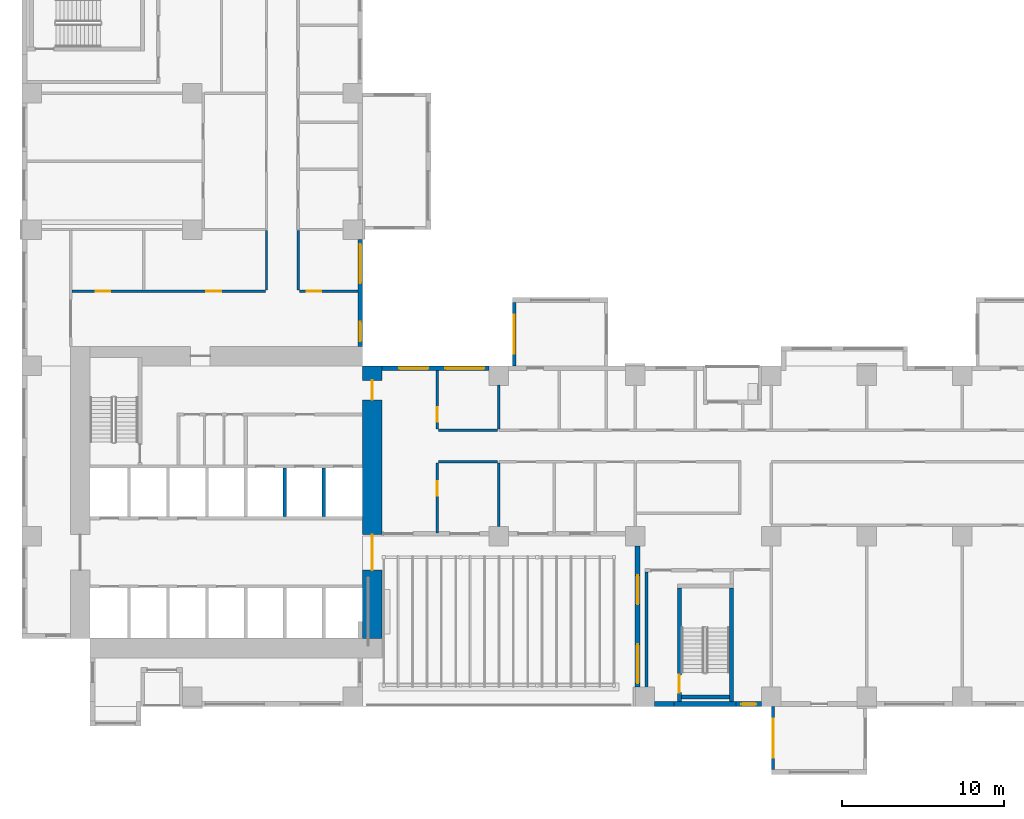
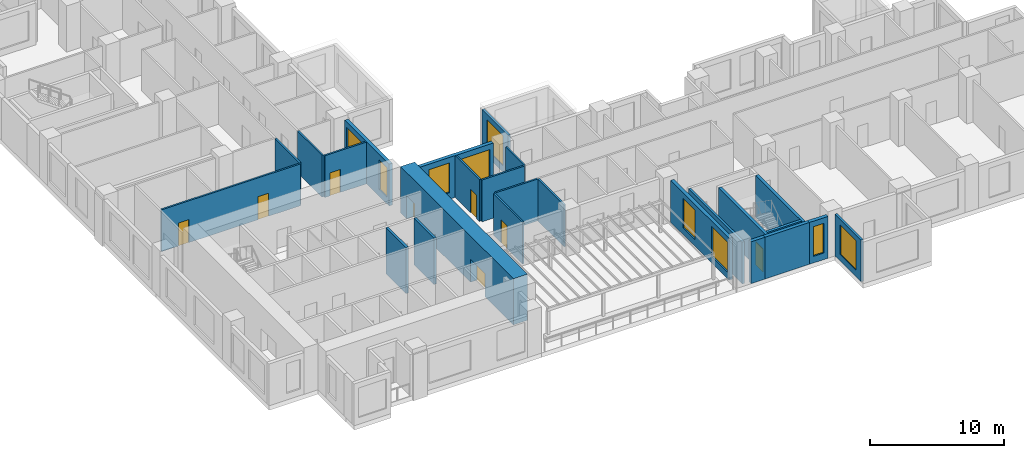
# One storey, part 5 of 16: 25 walls, 9 windows, 8 doors, 17 openings.
"""IFC4 building model written with IfcOpenShell, lengths in metres."""

import ifcopenshell
import ifcopenshell.guid

model = None  # the IFC model being written
_history = None  # IfcOwnerHistory: only IFC2X3 demands one
_inside = {}  # id of a spatial element -> (the spatial element, [elements in it])
_under = {}  # id of a project, library or spatial element -> (it, [spatial elements below it])
_declared = {}  # id of a project -> (the project, [libraries it declares])
_typed = {}  # id of a type object -> (the type object, [elements of that type])
_made_of = {}  # id of a material, layer set ... -> (it, [elements and type objects made of it])


def new_model(schema):
    """Start an empty IFC model of exactly this schema.

    Asked for "IFC4X3", IfcOpenShell would pick the latest addendum, in which some entities
    have other attributes; the version numbers below select the first issue.
    IFC2X3 requires an IfcOwnerHistory on every rooted entity: one is made here for all.
    """
    global model, _history
    if schema == "IFC4X3":
        model = ifcopenshell.file(schema_version=(4, 3, 0, 0))
    else:
        model = ifcopenshell.file(schema=schema)
    _inside.clear()
    _under.clear()
    _declared.clear()
    _typed.clear()
    _made_of.clear()
    _history = None
    if model.schema == "IFC2X3":
        org = make("IfcOrganization", Name="unknown")
        user = make(
            "IfcPersonAndOrganization",
            ThePerson=make("IfcPerson", FamilyName="unknown"),
            TheOrganization=org,
        )
        app = make(
            "IfcApplication",
            ApplicationDeveloper=org,
            Version="unknown",
            ApplicationFullName="unknown",
            ApplicationIdentifier="unknown",
        )
        _history = make(
            "IfcOwnerHistory",
            OwningUser=user,
            OwningApplication=app,
            ChangeAction="ADDED",
            CreationDate=0,
        )
    return model


def make(cls, **values):
    """One entity of the class cls with the attributes given. An attribute that is None is left unset."""
    return model.create_entity(
        cls, **{name: value for name, value in values.items() if value is not None}
    )


def rooted(cls, **values):
    """An entity with a GlobalId (a new one), such as an element, a storey or a relation."""
    return make(cls, GlobalId=ifcopenshell.guid.new(), OwnerHistory=_history, **values)


def si_unit(unit_type, name, prefix=None):
    """IfcSIUnit, for example si_unit("LENGTHUNIT", "METRE", prefix="MILLI")."""
    return make("IfcSIUnit", UnitType=unit_type, Prefix=prefix, Name=name)


def assignment(units):
    """IfcUnitAssignment: the units of a project."""
    return None if units is None else make("IfcUnitAssignment", Units=units)


def point(xyz):
    """IfcCartesianPoint."""
    return None if xyz is None else make("IfcCartesianPoint", Coordinates=xyz)


def direction(xyz):
    """IfcDirection."""
    return None if xyz is None else make("IfcDirection", DirectionRatios=xyz)


def frame(location, z_axis=None, x_axis=None):
    """IfcAxis2Placement3D, a coordinate frame: its origin and axes. An axis left out is left unset."""
    return make(
        "IfcAxis2Placement3D",
        Location=point(location),
        Axis=direction(z_axis),
        RefDirection=direction(x_axis),
    )


def frame_2d(location, x_axis=None):
    """IfcAxis2Placement2D, a coordinate frame in the plane: its origin and x axis."""
    return make(
        "IfcAxis2Placement2D", Location=point(location), RefDirection=direction(x_axis)
    )


def origin():
    """The frame at (0, 0, 0) with its axes left unset."""
    return frame((0.0, 0.0, 0.0))


def place(relative_to, where):
    """IfcLocalPlacement: puts the frame where relative to a parent placement (None: the world)."""
    return make(
        "IfcLocalPlacement", PlacementRelTo=relative_to, RelativePlacement=where
    )


def context(
    kind, dimensions, precision=None, world=None, true_north=None, identifier=None
):
    """IfcGeometricRepresentationContext, for example the 3D "Model" context."""
    return make(
        "IfcGeometricRepresentationContext",
        ContextIdentifier=identifier,
        ContextType=kind,
        CoordinateSpaceDimension=dimensions,
        Precision=precision,
        WorldCoordinateSystem=world,
        TrueNorth=true_north,
    )


def subcontext(parent, identifier, kind, view, scale=None):
    """IfcGeometricRepresentationSubContext, for example "Body" below "Model"."""
    return make(
        "IfcGeometricRepresentationSubContext",
        ContextIdentifier=identifier,
        ContextType=kind,
        ParentContext=parent,
        TargetScale=scale,
        TargetView=view,
    )


def project(units=None, contexts=None):
    """IfcProject with its units and contexts."""
    return rooted(
        "IfcProject",
        Name="project",
        RepresentationContexts=contexts,
        UnitsInContext=assignment(units),
    )


def spatial(cls, under=None, at=None, **own):
    """A site, building, storey or space (cls), placed at a placement, below another one or the project."""
    s = rooted(cls, ObjectPlacement=at, **own)
    if under is not None:
        _under.setdefault(under.id(), (under, []))[1].append(s)
    return s


def profile(cls, at=None, kind="AREA", **sizes):
    """A parametric profile (cls). Its sizes go by their IFC names, for example OverallWidth=200.0."""
    return make(cls, ProfileType=kind, Position=at, **sizes)


def rectangle(**sizes):
    """IfcRectangleProfileDef."""
    return profile("IfcRectangleProfileDef", **sizes)


def extrude(swept, where, along, depth):
    """IfcExtrudedAreaSolid: the profile swept, set in the frame where, extruded along a direction by depth."""
    return make(
        "IfcExtrudedAreaSolid",
        SweptArea=swept,
        Position=where,
        ExtrudedDirection=direction(along),
        Depth=depth,
    )


def shape(context_of_items, identifier, shape_type, items):
    """IfcShapeRepresentation: the items that make up one representation, for example the "Body"."""
    return make(
        "IfcShapeRepresentation",
        ContextOfItems=context_of_items,
        RepresentationIdentifier=identifier,
        RepresentationType=shape_type,
        Items=items,
    )


def source(mapping_origin, context_of_items, identifier, shape_type, items):
    """IfcRepresentationMap: a shape defined once, which mapped items show again and again."""
    return make(
        "IfcRepresentationMap",
        MappingOrigin=mapping_origin,
        MappedRepresentation=shape(context_of_items, identifier, shape_type, items),
    )


def transform(
    local_origin,
    x_axis=None,
    y_axis=None,
    z_axis=None,
    scale=None,
    scale2=None,
    scale3=None,
    uniform=True,
):
    """IfcCartesianTransformationOperator3D, or its non-uniform kind. x_axis, y_axis, z_axis: its Axis1, 2, 3."""
    if uniform:
        return make(
            "IfcCartesianTransformationOperator3D",
            Axis1=direction(x_axis),
            Axis2=direction(y_axis),
            LocalOrigin=point(local_origin),
            Scale=scale,
            Axis3=direction(z_axis),
        )
    return make(
        "IfcCartesianTransformationOperator3DnonUniform",
        Axis1=direction(x_axis),
        Axis2=direction(y_axis),
        LocalOrigin=point(local_origin),
        Scale=scale,
        Axis3=direction(z_axis),
        Scale2=scale2,
        Scale3=scale3,
    )


def mapped(mapping_source, mapping_target):
    """IfcMappedItem: shows the shape of a source again, moved by a transform."""
    return make(
        "IfcMappedItem", MappingSource=mapping_source, MappingTarget=mapping_target
    )


def material(Name=None, Category=None):
    """IfcMaterial."""
    return make("IfcMaterial", Name=Name, Category=Category)


def layer(
    of_material, thickness, ventilated=None, Name=None, Category=None, Priority=None
):
    """IfcMaterialLayer: one layer of a wall or slab, of a material (None: an air gap)."""
    return make(
        "IfcMaterialLayer",
        Material=of_material,
        LayerThickness=thickness,
        IsVentilated=ventilated,
        Name=Name,
        Category=Category,
        Priority=Priority,
    )


def layer_set(layers, Name=None):
    """IfcMaterialLayerSet."""
    return make("IfcMaterialLayerSet", MaterialLayers=layers, LayerSetName=Name)


def made_of(thing, what):
    """Note that an element or type object is made of a material, layer set ...; save() writes the relation."""
    if what is not None:
        _made_of.setdefault(what.id(), (what, []))[1].append(thing)
    return thing


def type_object(cls, material=None, **own):
    """A type object (cls), such as IfcWallType, which elements share."""
    return made_of(rooted(cls, **own), material)


def element(
    cls,
    number,
    at=None,
    inside=None,
    cuts=None,
    type_object=None,
    material=None,
    context=None,
    identifier="Body",
    shape_type=None,
    held_by="IfcProductDefinitionShape",
    body=None,
    shapes=None,
    **own,
):
    """One element of the class cls, such as IfcWall. Its Tag is "e" and its number.

    at: its placement. inside: the storey or other place that contains it. cuts: it is an
    opening in that element (IfcRelVoidsElement). A single representation is given by context,
    identifier, shape_type and body (its items); several are given by shapes. held_by: the class
    of the entity that holds the representations. save() writes the other relations.
    """
    e = rooted(cls, Tag="e%d" % number, ObjectPlacement=at, **own)
    if body is not None:
        shapes = [shape(context, identifier, shape_type, body)]
    if shapes is not None:
        e.Representation = make(held_by, Representations=shapes)
    if inside is not None:
        _inside.setdefault(inside.id(), (inside, []))[1].append(e)
    if cuts is not None:
        rooted(
            "IfcRelVoidsElement", RelatingBuildingElement=cuts, RelatedOpeningElement=e
        )
    if type_object is not None:
        _typed.setdefault(type_object.id(), (type_object, []))[1].append(e)
    return made_of(e, material)


def fill(opening, filler):
    """IfcRelFillsElement: the door or window that sits in an opening."""
    return rooted(
        "IfcRelFillsElement",
        RelatingOpeningElement=opening,
        RelatedBuildingElement=filler,
    )


def aggregate(whole, parts):
    """IfcRelAggregates: a whole, such as a stair, and the parts it consists of."""
    return rooted("IfcRelAggregates", RelatingObject=whole, RelatedObjects=parts)


def save(model, path):
    """Write the relations noted so far, then the file.

    IfcRelAggregates (storeys below a building ...), IfcRelContainedInSpatialStructure (elements
    in a storey), IfcRelDefinesByType, IfcRelAssociatesMaterial and IfcRelDeclares: one each for
    every whole, place, type object, material and project.
    """
    for whole, parts in _under.values():
        aggregate(whole, parts)
    for where, things in _inside.values():
        rooted(
            "IfcRelContainedInSpatialStructure",
            RelatedElements=things,
            RelatingStructure=where,
        )
    for kind, things in _typed.values():
        rooted("IfcRelDefinesByType", RelatedObjects=things, RelatingType=kind)
    for what, things in _made_of.values():
        rooted("IfcRelAssociatesMaterial", RelatedObjects=things, RelatingMaterial=what)
    for by, libraries in _declared.values():
        rooted("IfcRelDeclares", RelatingContext=by, RelatedDefinitions=libraries)
    model.write(path)


model = new_model("IFC4")

# Units and contexts
model_context = context("Model", 3, precision=1e-05, world=origin(), true_north=direction((0.0, 1.0)))
body_context = subcontext(model_context, "Body", "Model", "MODEL_VIEW")
ifc_project = project(units=[si_unit("LENGTHUNIT", "METRE"), si_unit("AREAUNIT", "SQUARE_METRE"), si_unit("VOLUMEUNIT", "CUBIC_METRE"), si_unit("PLANEANGLEUNIT", "RADIAN"), si_unit("MASSUNIT", "GRAM", prefix="KILO")], contexts=[model_context])

# Site, building, storey
site_placement = place(None, origin())
site = spatial("IfcSite", under=ifc_project, at=site_placement, CompositionType="ELEMENT")
building_placement = place(site_placement, origin())
building = spatial("IfcBuilding", under=site, at=building_placement, Name="Aurelian Terraces", CompositionType="ELEMENT")
storey_placement = place(building_placement, frame((0.0, 0.0, 95.1)))
storey = spatial("IfcBuildingStorey", under=building, at=storey_placement, Name="L20", CompositionType="ELEMENT", Elevation=95.1)

# Wall, openings, doors
ifc_material_1 = material(Name="Concrete fc' 83 MPa", Category="concrete")
ifc_layer_1 = layer(ifc_material_1, 1.2)
ifc_layer_set_1 = layer_set([ifc_layer_1], Name="CORE WALL 1200 FC83")
wall_type_1 = type_object("IfcWallType", Name="CORE WALL 1200 FC83", PredefinedType="SHEAR", material=ifc_layer_set_1)
shared_shape_1 = source(origin(), body_context, "Body", "SweptSolid", [
    extrude(rectangle(XDim=16.8, YDim=1.2, at=frame_2d((8.4, 0.0))), origin(), (0.0, 0.0, 1.0), 4.2),
])
wall_1_placement = place(storey_placement, frame((21.6, 4.2, 0.0), z_axis=(0.0, 0.0, 1.0), x_axis=(0.0, 1.0, 0.0)))
wall_1 = element("IfcWall", 1, at=wall_1_placement, inside=storey, type_object=wall_type_1, Name="Core wall E L20", PredefinedType="SHEAR", context=body_context, shape_type="MappedRepresentation", body=[
    mapped(shared_shape_1, transform((0.0, 0.0, 0.0), scale=1.0)),
])
shared_shape_2 = source(origin(), body_context, "Body", "SweptSolid", [
    extrude(rectangle(XDim=2.2, YDim=2.1, at=frame_2d((1.1, 1.05))), frame((0.0, 0.61, 0.0), z_axis=(0.0, -1.0, 0.0), x_axis=(1.0, 0.0, 0.0)), (0.0, 0.0, 1.0), 1.22),
])
opening_1_placement = place(wall_1_placement, frame((4.2, 0.0, 0.0)))
opening_1 = element("IfcOpeningElement", 2, at=opening_1_placement, cuts=wall_1, Name="Opening 62321", PredefinedType="OPENING", context=body_context, shape_type="MappedRepresentation", body=[
    mapped(shared_shape_2, transform((0.0, 0.0, 0.0), scale=1.0)),
])
shared_shape_3 = source(origin(), body_context, "Body", "SweptSolid", [
    extrude(rectangle(XDim=1.2, YDim=2.1, at=frame_2d((0.6, 1.05))), frame((0.0, 0.61, 0.0), z_axis=(0.0, -1.0, 0.0), x_axis=(1.0, 0.0, 0.0)), (0.0, 0.0, 1.0), 1.22),
])
opening_2_placement = place(wall_1_placement, frame((14.7, 0.0, 0.0)))
opening_2 = element("IfcOpeningElement", 3, at=opening_2_placement, cuts=wall_1, Name="Opening 62324", PredefinedType="OPENING", context=body_context, shape_type="MappedRepresentation", body=[
    mapped(shared_shape_3, transform((0.0, 0.0, 0.0), scale=1.0)),
])
ifc_material_2 = material(Name="Steel door leaf", Category="steel")
door_type_1 = type_object("IfcDoorType", Name="Core fire door 1200x2100", OperationType="SINGLE_SWING_LEFT", PredefinedType="DOOR", material=ifc_material_2)
shared_shape_4 = source(origin(), body_context, "Body", "SweptSolid", [
    extrude(rectangle(XDim=1.2, YDim=2.1, at=frame_2d((0.6, 1.05))), frame((0.0, 0.025, 0.0), z_axis=(0.0, -1.0, 0.0), x_axis=(1.0, 0.0, 0.0)), (0.0, 0.0, 1.0), 0.05),
])
door_1_placement = place(opening_2_placement, origin())
door_1 = element("IfcDoor", 4, at=door_1_placement, inside=storey, type_object=door_type_1, Name="Core door 62324", OperationType="SINGLE_SWING_LEFT", OverallHeight=2.1, OverallWidth=1.2, PredefinedType="DOOR", context=body_context, shape_type="MappedRepresentation", body=[
    mapped(shared_shape_4, transform((0.0, 0.0, 0.0), scale=1.0)),
])
fill(opening_2, door_1)
door_type_2 = type_object("IfcDoorType", Name="Core double door 2200x2100", OperationType="DOUBLE_DOOR_SINGLE_SWING", PredefinedType="DOOR", material=ifc_material_2)
shared_shape_5 = source(origin(), body_context, "Body", "SweptSolid", [
    extrude(rectangle(XDim=2.2, YDim=2.1, at=frame_2d((1.1, 1.05))), frame((0.0, 0.025, 0.0), z_axis=(0.0, -1.0, 0.0), x_axis=(1.0, 0.0, 0.0)), (0.0, 0.0, 1.0), 0.05),
])
door_2_placement = place(opening_1_placement, origin())
door_2 = element("IfcDoor", 5, at=door_2_placement, inside=storey, type_object=door_type_2, Name="Core door 62321", OperationType="DOUBLE_DOOR_SINGLE_SWING", OverallHeight=2.1, OverallWidth=2.2, PredefinedType="DOOR", context=body_context, shape_type="MappedRepresentation", body=[
    mapped(shared_shape_5, transform((0.0, 0.0, 0.0), scale=1.0)),
])
fill(opening_1, door_2)

# Wall
ifc_material_3 = material(Name="Terracotta rainscreen cladding", Category="masonry")
ifc_layer_2 = layer(ifc_material_3, 0.3)
ifc_layer_set_2 = layer_set([ifc_layer_2], Name="EW-300")
wall_type_2 = type_object("IfcWallType", Name="EW-300", PredefinedType="STANDARD", material=ifc_layer_set_2)
shared_shape_6 = source(origin(), body_context, "Body", "SweptSolid", [
    extrude(rectangle(XDim=1.2, YDim=0.3, at=frame_2d((0.6, 0.0))), origin(), (0.0, 0.0, 1.0), 3.8),
])
wall_2_placement = place(storey_placement, frame((39.0, 0.15, 0.0), z_axis=(0.0, 0.0, 1.0), x_axis=(1.0, 0.0, 0.0)))
element("IfcWall", 6, at=wall_2_placement, inside=storey, type_object=wall_type_2, Name="External wall L20 F05.9", PredefinedType="STANDARD", context=body_context, shape_type="MappedRepresentation", body=[
    mapped(shared_shape_6, transform((0.0, 0.0, 0.0), scale=1.0)),
])

# Wall, opening, window
shared_shape_7 = source(origin(), body_context, "Body", "SweptSolid", [
    extrude(rectangle(XDim=1.6, YDim=0.3, at=frame_2d((0.8, 0.0))), origin(), (0.0, 0.0, 1.0), 3.8),
])
wall_3_placement = place(storey_placement, frame((44.0, 0.15, 0.0), z_axis=(0.0, 0.0, 1.0), x_axis=(1.0, 0.0, 0.0)))
wall_3 = element("IfcWall", 7, at=wall_3_placement, inside=storey, type_object=wall_type_2, Name="External wall L20 F05.9", PredefinedType="STANDARD", context=body_context, shape_type="MappedRepresentation", body=[
    mapped(shared_shape_7, transform((0.0, 0.0, 0.0), scale=1.0)),
])
shared_shape_8 = source(origin(), body_context, "Body", "SweptSolid", [
    extrude(rectangle(XDim=0.9, YDim=2.7, at=frame_2d((0.45, 1.35))), frame((0.0, 0.16, 0.0), z_axis=(0.0, -1.0, 0.0), x_axis=(1.0, 0.0, 0.0)), (0.0, 0.0, 1.0), 0.32),
])
opening_3_placement = place(wall_3_placement, frame((0.35, 0.0, 0.6)))
opening_3 = element("IfcOpeningElement", 8, at=opening_3_placement, cuts=wall_3, Name="Opening W0927", PredefinedType="OPENING", context=body_context, shape_type="MappedRepresentation", body=[
    mapped(shared_shape_8, transform((0.0, 0.0, 0.0), scale=1.0)),
])
ifc_material_4 = material(Name="Clear glazing", Category="glass")
window_type_1 = type_object("IfcWindowType", Name="W-900x2700", PartitioningType="SINGLE_PANEL", PredefinedType="WINDOW", material=ifc_material_4)
shared_shape_9 = source(origin(), body_context, "Body", "SweptSolid", [
    extrude(rectangle(XDim=0.9, YDim=2.7, at=frame_2d((0.45, 1.35))), frame((0.0, 0.03, 0.0), z_axis=(0.0, -1.0, 0.0), x_axis=(1.0, 0.0, 0.0)), (0.0, 0.0, 1.0), 0.06),
])
window_1_placement = place(opening_3_placement, origin())
window_1 = element("IfcWindow", 9, at=window_1_placement, inside=storey, type_object=window_type_1, Name="Window L20 L20-F05-09-P2", OverallHeight=2.7, OverallWidth=0.9, PartitioningType="SINGLE_PANEL", PredefinedType="WINDOW", context=body_context, shape_type="MappedRepresentation", body=[
    mapped(shared_shape_9, transform((0.0, 0.0, 0.0), scale=1.0)),
])
fill(opening_3, window_1)

# Wall
ifc_material_5 = material(Name="Concrete fc' 40 MPa", Category="concrete")
ifc_layer_3 = layer(ifc_material_5, 0.3)
ifc_layer_set_3 = layer_set([ifc_layer_3], Name="STAIR BAY WALL 300")
wall_type_3 = type_object("IfcWallType", Name="STAIR BAY WALL 300", PredefinedType="SOLIDWALL", material=ifc_layer_set_3)
shared_shape_10 = source(origin(), body_context, "Body", "SweptSolid", [
    extrude(rectangle(XDim=3.8, YDim=0.3, at=frame_2d((1.9, 0.0))), origin(), (0.0, 0.0, 1.0), 3.8),
])
wall_4_placement = place(storey_placement, frame((40.2, 0.15, 0.0), z_axis=(0.0, 0.0, 1.0), x_axis=(1.0, 0.0, 0.0)))
element("IfcWall", 10, at=wall_4_placement, inside=storey, type_object=wall_type_3, Name="Stair bay wall L20 F05.9", PredefinedType="SOLIDWALL", context=body_context, shape_type="MappedRepresentation", body=[
    mapped(shared_shape_10, transform((0.0, 0.0, 0.0), scale=1.0)),
])

# Wall, opening, window
ifc_layer_4 = layer(ifc_material_5, 0.2)
ifc_layer_set_4 = layer_set([ifc_layer_4], Name="BOX BEARING WALL 200")
wall_type_4 = type_object("IfcWallType", Name="BOX BEARING WALL 200", PredefinedType="SOLIDWALL", material=ifc_layer_set_4)
shared_shape_11 = source(origin(), body_context, "Body", "SweptSolid", [
    extrude(rectangle(XDim=3.9, YDim=0.2, at=frame_2d((1.95, 0.0))), origin(), (0.0, 0.0, 1.0), 3.79),
])
wall_5_placement = place(storey_placement, frame((46.3, 0.0, 0.0), z_axis=(0.0, 0.0, 1.0), x_axis=(0.0, -1.0, 0.0)))
wall_5 = element("IfcWall", 11, at=wall_5_placement, inside=storey, type_object=wall_type_4, Name="Box return L20 J28.1", PredefinedType="SOLIDWALL", context=body_context, shape_type="MappedRepresentation", body=[
    mapped(shared_shape_11, transform((0.0, 0.0, 0.0), scale=1.0)),
])
shared_shape_12 = source(origin(), body_context, "Body", "SweptSolid", [
    extrude(rectangle(XDim=2.4, YDim=2.7, at=frame_2d((1.2, 1.35))), frame((0.0, 0.11, 0.0), z_axis=(0.0, -1.0, 0.0), x_axis=(1.0, 0.0, 0.0)), (0.0, 0.0, 1.0), 0.22),
])
opening_4_placement = place(wall_5_placement, frame((0.75, 0.0, 0.6)))
opening_4 = element("IfcOpeningElement", 12, at=opening_4_placement, cuts=wall_5, Name="Opening W2427", PredefinedType="OPENING", context=body_context, shape_type="MappedRepresentation", body=[
    mapped(shared_shape_12, transform((0.0, 0.0, 0.0), scale=1.0)),
])
window_type_2 = type_object("IfcWindowType", Name="W-2400x2700", PartitioningType="SINGLE_PANEL", PredefinedType="WINDOW", material=ifc_material_4)
shared_shape_13 = source(origin(), body_context, "Body", "SweptSolid", [
    extrude(rectangle(XDim=2.4, YDim=2.7, at=frame_2d((1.2, 1.35))), frame((0.0, 0.03, 0.0), z_axis=(0.0, -1.0, 0.0), x_axis=(1.0, 0.0, 0.0)), (0.0, 0.0, 1.0), 0.06),
])
window_2_placement = place(opening_4_placement, origin())
window_2 = element("IfcWindow", 13, at=window_2_placement, inside=storey, type_object=window_type_2, Name="Window L20 J28-S1", OverallHeight=2.7, OverallWidth=2.4, PartitioningType="SINGLE_PANEL", PredefinedType="WINDOW", context=body_context, shape_type="MappedRepresentation", body=[
    mapped(shared_shape_13, transform((0.0, 0.0, 0.0), scale=1.0)),
])
fill(opening_4, window_2)

shared_shape_14 = source(origin(), body_context, "Body", "SweptSolid", [
    extrude(rectangle(XDim=3.9, YDim=0.2, at=frame_2d((1.95, 0.0))), origin(), (0.0, 0.0, 1.0), 3.8),
])
wall_6_placement = place(storey_placement, frame((30.34, 21.0, 0.0), z_axis=(0.0, 0.0, 1.0), x_axis=(0.0, 1.0, 0.0)))
wall_6 = element("IfcWall", 14, at=wall_6_placement, inside=storey, type_object=wall_type_4, Name="Box return L20 J25.2", PredefinedType="SOLIDWALL", context=body_context, shape_type="MappedRepresentation", body=[
    mapped(shared_shape_14, transform((0.0, 0.0, 0.0), scale=1.0)),
])
opening_5_placement = place(wall_6_placement, frame((0.75, 0.0, 0.6)))
opening_5 = element("IfcOpeningElement", 15, at=opening_5_placement, cuts=wall_6, Name="Opening W2427", PredefinedType="OPENING", context=body_context, shape_type="MappedRepresentation", body=[
    mapped(shared_shape_12, transform((0.0, 0.0, 0.0), scale=1.0)),
])
window_3_placement = place(opening_5_placement, origin())
window_3 = element("IfcWindow", 16, at=window_3_placement, inside=storey, type_object=window_type_2, Name="Window L20 J25-S2", OverallHeight=2.7, OverallWidth=2.4, PartitioningType="SINGLE_PANEL", PredefinedType="WINDOW", context=body_context, shape_type="MappedRepresentation", body=[
    mapped(shared_shape_13, transform((0.0, 0.0, 0.0), scale=1.0)),
])
fill(opening_5, window_3)

# Wall, openings, windows
shared_shape_15 = source(origin(), body_context, "Body", "SweptSolid", [
    extrude(rectangle(XDim=6.6, YDim=0.3, at=frame_2d((3.3, 0.0))), origin(), (0.0, 0.0, 1.0), 3.8),
])
wall_7_placement = place(storey_placement, frame((28.8, 20.85, 0.0), z_axis=(0.0, 0.0, 1.0), x_axis=(-1.0, 0.0, 0.0)))
wall_7 = element("IfcWall", 17, at=wall_7_placement, inside=storey, type_object=wall_type_2, Name="External wall L20 F11.24", PredefinedType="STANDARD", context=body_context, shape_type="MappedRepresentation", body=[
    mapped(shared_shape_15, transform((0.0, 0.0, 0.0), scale=1.0)),
])
shared_shape_16 = source(origin(), body_context, "Body", "SweptSolid", [
    extrude(rectangle(XDim=2.4, YDim=2.7, at=frame_2d((1.2, 1.35))), frame((0.0, 0.16, 0.0), z_axis=(0.0, -1.0, 0.0), x_axis=(1.0, 0.0, 0.0)), (0.0, 0.0, 1.0), 0.32),
])
opening_6_placement = place(wall_7_placement, frame((0.3, 0.0, 0.6)))
opening_6 = element("IfcOpeningElement", 18, at=opening_6_placement, cuts=wall_7, Name="Opening W2427", PredefinedType="OPENING", context=body_context, shape_type="MappedRepresentation", body=[
    mapped(shared_shape_16, transform((0.0, 0.0, 0.0), scale=1.0)),
])
shared_shape_17 = source(origin(), body_context, "Body", "SweptSolid", [
    extrude(rectangle(XDim=1.8, YDim=2.7, at=frame_2d((0.9, 1.35))), frame((0.0, 0.16, 0.0), z_axis=(0.0, -1.0, 0.0), x_axis=(1.0, 0.0, 0.0)), (0.0, 0.0, 1.0), 0.32),
])
opening_7_placement = place(wall_7_placement, frame((3.75, 0.0, 0.6)))
opening_7 = element("IfcOpeningElement", 19, at=opening_7_placement, cuts=wall_7, Name="Opening W1827", PredefinedType="OPENING", context=body_context, shape_type="MappedRepresentation", body=[
    mapped(shared_shape_17, transform((0.0, 0.0, 0.0), scale=1.0)),
])
window_4_placement = place(opening_6_placement, origin())
window_4 = element("IfcWindow", 20, at=window_4_placement, inside=storey, type_object=window_type_2, Name="Window L20 L20-F11-24-2", OverallHeight=2.7, OverallWidth=2.4, PartitioningType="SINGLE_PANEL", PredefinedType="WINDOW", context=body_context, shape_type="MappedRepresentation", body=[
    mapped(shared_shape_13, transform((0.0, 0.0, 0.0), scale=1.0)),
])
fill(opening_6, window_4)
window_type_3 = type_object("IfcWindowType", Name="W-1800x2700", PartitioningType="SINGLE_PANEL", PredefinedType="WINDOW", material=ifc_material_4)
shared_shape_18 = source(origin(), body_context, "Body", "SweptSolid", [
    extrude(rectangle(XDim=1.8, YDim=2.7, at=frame_2d((0.9, 1.35))), frame((0.0, 0.03, 0.0), z_axis=(0.0, -1.0, 0.0), x_axis=(1.0, 0.0, 0.0)), (0.0, 0.0, 1.0), 0.06),
])
window_5_placement = place(opening_7_placement, origin())
window_5 = element("IfcWindow", 21, at=window_5_placement, inside=storey, type_object=window_type_3, Name="Window L20 L20-F11-24-G2-159", OverallHeight=2.7, OverallWidth=1.8, PartitioningType="SINGLE_PANEL", PredefinedType="WINDOW", context=body_context, shape_type="MappedRepresentation", body=[
    mapped(shared_shape_18, transform((0.0, 0.0, 0.0), scale=1.0)),
])
fill(opening_7, window_5)

wall_8_placement = place(storey_placement, frame((20.85, 22.2, 0.0), z_axis=(0.0, 0.0, 1.0), x_axis=(0.0, 1.0, 0.0)))
wall_8 = element("IfcWall", 22, at=wall_8_placement, inside=storey, type_object=wall_type_2, Name="External wall L20 F12.25", PredefinedType="STANDARD", context=body_context, shape_type="MappedRepresentation", body=[
    mapped(shared_shape_15, transform((0.0, 0.0, 0.0), scale=1.0)),
])
shared_shape_19 = source(origin(), body_context, "Body", "SweptSolid", [
    extrude(rectangle(XDim=1.2, YDim=2.7, at=frame_2d((0.6, 1.35))), frame((0.0, 0.16, 0.0), z_axis=(0.0, -1.0, 0.0), x_axis=(1.0, 0.0, 0.0)), (0.0, 0.0, 1.0), 0.32),
])
opening_8_placement = place(wall_8_placement, frame((0.3, 0.0, 0.6)))
opening_8 = element("IfcOpeningElement", 23, at=opening_8_placement, cuts=wall_8, Name="Opening W1227", PredefinedType="OPENING", context=body_context, shape_type="MappedRepresentation", body=[
    mapped(shared_shape_19, transform((0.0, 0.0, 0.0), scale=1.0)),
])
opening_9_placement = place(wall_8_placement, frame((3.9, 0.0, 0.6)))
opening_9 = element("IfcOpeningElement", 24, at=opening_9_placement, cuts=wall_8, Name="Opening W2427", PredefinedType="OPENING", context=body_context, shape_type="MappedRepresentation", body=[
    mapped(shared_shape_16, transform((0.0, 0.0, 0.0), scale=1.0)),
])
window_6_placement = place(opening_9_placement, origin())
window_6 = element("IfcWindow", 25, at=window_6_placement, inside=storey, type_object=window_type_2, Name="Window L20 L20-F12-25-1", OverallHeight=2.7, OverallWidth=2.4, PartitioningType="SINGLE_PANEL", PredefinedType="WINDOW", context=body_context, shape_type="MappedRepresentation", body=[
    mapped(shared_shape_13, transform((0.0, 0.0, 0.0), scale=1.0)),
])
fill(opening_9, window_6)
window_type_4 = type_object("IfcWindowType", Name="W-1200x2700", PartitioningType="SINGLE_PANEL", PredefinedType="WINDOW", material=ifc_material_4)
shared_shape_20 = source(origin(), body_context, "Body", "SweptSolid", [
    extrude(rectangle(XDim=1.2, YDim=2.7, at=frame_2d((0.6, 1.35))), frame((0.0, 0.03, 0.0), z_axis=(0.0, -1.0, 0.0), x_axis=(1.0, 0.0, 0.0)), (0.0, 0.0, 1.0), 0.06),
])
window_7_placement = place(opening_8_placement, origin())
window_7 = element("IfcWindow", 26, at=window_7_placement, inside=storey, type_object=window_type_4, Name="Window L20 L20-F12-25-0", OverallHeight=2.7, OverallWidth=1.2, PartitioningType="SINGLE_PANEL", PredefinedType="WINDOW", context=body_context, shape_type="MappedRepresentation", body=[
    mapped(shared_shape_20, transform((0.0, 0.0, 0.0), scale=1.0)),
])
fill(opening_8, window_7)

shared_shape_21 = source(origin(), body_context, "Body", "SweptSolid", [
    extrude(rectangle(XDim=8.7, YDim=0.3, at=frame_2d((4.35, 0.0))), origin(), (0.0, 0.0, 1.0), 3.8),
])
wall_9_placement = place(storey_placement, frame((37.95, 9.9, 0.0), z_axis=(0.0, 0.0, 1.0), x_axis=(0.0, -1.0, 0.0)))
wall_9 = element("IfcWall", 27, at=wall_9_placement, inside=storey, type_object=wall_type_2, Name="External wall L20 F04.8", PredefinedType="STANDARD", context=body_context, shape_type="MappedRepresentation", body=[
    mapped(shared_shape_21, transform((0.0, 0.0, 0.0), scale=1.0)),
])
opening_10_placement = place(wall_9_placement, frame((1.8125, 0.0, 0.6)))
opening_10 = element("IfcOpeningElement", 28, at=opening_10_placement, cuts=wall_9, Name="Opening W1827", PredefinedType="OPENING", context=body_context, shape_type="MappedRepresentation", body=[
    mapped(shared_shape_17, transform((0.0, 0.0, 0.0), scale=1.0)),
])
opening_11_placement = place(wall_9_placement, frame((6.075, 0.0, 0.6)))
opening_11 = element("IfcOpeningElement", 29, at=opening_11_placement, cuts=wall_9, Name="Opening W2427", PredefinedType="OPENING", context=body_context, shape_type="MappedRepresentation", body=[
    mapped(shared_shape_16, transform((0.0, 0.0, 0.0), scale=1.0)),
])
window_8_placement = place(opening_11_placement, origin())
window_8 = element("IfcWindow", 30, at=window_8_placement, inside=storey, type_object=window_type_2, Name="Window L20 L20-F04-08-1", OverallHeight=2.7, OverallWidth=2.4, PartitioningType="SINGLE_PANEL", PredefinedType="WINDOW", context=body_context, shape_type="MappedRepresentation", body=[
    mapped(shared_shape_13, transform((0.0, 0.0, 0.0), scale=1.0)),
])
fill(opening_11, window_8)
window_9_placement = place(opening_10_placement, origin())
window_9 = element("IfcWindow", 31, at=window_9_placement, inside=storey, type_object=window_type_3, Name="Window L20 L20-F04-08-0", OverallHeight=2.7, OverallWidth=1.8, PartitioningType="SINGLE_PANEL", PredefinedType="WINDOW", context=body_context, shape_type="MappedRepresentation", body=[
    mapped(shared_shape_18, transform((0.0, 0.0, 0.0), scale=1.0)),
])
fill(opening_10, window_9)

# Walls
ifc_layer_5 = layer(ifc_material_5, 0.2)
ifc_layer_set_5 = layer_set([ifc_layer_5], Name="Lift shaft wall 200")
wall_type_5 = type_object("IfcWallType", Name="Lift shaft wall 200", PredefinedType="SOLIDWALL", material=ifc_layer_set_5)
shared_shape_22 = source(origin(), body_context, "Body", "SweptSolid", [
    extrude(rectangle(XDim=3.0, YDim=0.2, at=frame_2d((1.5, 0.0))), origin(), (0.0, 0.0, 1.0), 4.2),
])
for number, where, z_axis, x_axis, name in (
    (32, (16.2, 11.7, 0.0), (0.0, 0.0, 1.0), (0.0, 1.0, 0.0), "L20 core wall CD-B5"),
    (33, (18.6, 11.7, 0.0), (0.0, 0.0, 1.0), (0.0, 1.0, 0.0), "L20 core wall CD-B6"),
):
    element("IfcWall", number, at=place(storey_placement, frame(where, z_axis=z_axis, x_axis=x_axis)), inside=storey, type_object=wall_type_5, Name=name, PredefinedType="SOLIDWALL", context=body_context, shape_type="MappedRepresentation", body=[
        mapped(shared_shape_22, transform((0.0, 0.0, 0.0), scale=1.0)),
    ])

# Wall, opening, door
ifc_layer_6 = layer(ifc_material_5, 0.25)
ifc_layer_set_6 = layer_set([ifc_layer_6], Name="Stair enclosure wall 250")
wall_type_6 = type_object("IfcWallType", Name="Stair enclosure wall 250", PredefinedType="SOLIDWALL", material=ifc_layer_set_6)
shared_shape_23 = source(origin(), body_context, "Body", "SweptSolid", [
    extrude(rectangle(XDim=7.0, YDim=0.25, at=frame_2d((3.5, 0.0))), origin(), (0.0, 0.0, 1.0), 3.8),
])
wall_10_placement = place(storey_placement, frame((40.525, 0.3, 0.0), z_axis=(0.0, 0.0, 1.0), x_axis=(0.0, 1.0, 0.0)))
wall_10 = element("IfcWall", 34, at=wall_10_placement, inside=storey, type_object=wall_type_6, Name="L20 core wall ST-S2-W", PredefinedType="SOLIDWALL", context=body_context, shape_type="MappedRepresentation", body=[
    mapped(shared_shape_23, transform((0.0, 0.0, 0.0), scale=1.0)),
])
shared_shape_24 = source(origin(), body_context, "Body", "SweptSolid", [
    extrude(rectangle(XDim=1.1, YDim=2.1, at=frame_2d((0.55, 1.05))), frame((0.0, 0.135, 0.0), z_axis=(0.0, -1.0, 0.0), x_axis=(1.0, 0.0, 0.0)), (0.0, 0.0, 1.0), 0.27),
])
opening_12_placement = place(wall_10_placement, frame((0.55, 0.0, 0.0)))
opening_12 = element("IfcOpeningElement", 35, at=opening_12_placement, cuts=wall_10, Name="Opening 62315", PredefinedType="OPENING", context=body_context, shape_type="MappedRepresentation", body=[
    mapped(shared_shape_24, transform((0.0, 0.0, 0.0), scale=1.0)),
])
door_type_3 = type_object("IfcDoorType", Name="Core fire door 1100x2100", OperationType="SINGLE_SWING_LEFT", PredefinedType="DOOR", material=ifc_material_2)
shared_shape_25 = source(origin(), body_context, "Body", "SweptSolid", [
    extrude(rectangle(XDim=1.1, YDim=2.1, at=frame_2d((0.55, 1.05))), frame((0.0, 0.025, 0.0), z_axis=(0.0, -1.0, 0.0), x_axis=(1.0, 0.0, 0.0)), (0.0, 0.0, 1.0), 0.05),
])
door_3_placement = place(opening_12_placement, origin())
door_3 = element("IfcDoor", 36, at=door_3_placement, inside=storey, type_object=door_type_3, Name="Stair door 62315", OperationType="SINGLE_SWING_LEFT", OverallHeight=2.1, OverallWidth=1.1, PredefinedType="DOOR", context=body_context, shape_type="MappedRepresentation", body=[
    mapped(shared_shape_25, transform((0.0, 0.0, 0.0), scale=1.0)),
])
fill(opening_12, door_3)

# Walls
wall_11_placement = place(storey_placement, frame((43.725, 0.3, 0.0), z_axis=(0.0, 0.0, 1.0), x_axis=(0.0, 1.0, 0.0)))
element("IfcWall", 37, at=wall_11_placement, inside=storey, type_object=wall_type_6, Name="L20 core wall ST-S2-E", PredefinedType="SOLIDWALL", context=body_context, shape_type="MappedRepresentation", body=[
    mapped(shared_shape_23, transform((0.0, 0.0, 0.0), scale=1.0)),
])
shared_shape_26 = source(origin(), body_context, "Body", "SweptSolid", [
    extrude(rectangle(XDim=2.95, YDim=0.25, at=frame_2d((1.475, 0.0))), origin(), (0.0, 0.0, 1.0), 3.8),
])
wall_12_placement = place(storey_placement, frame((40.65, 0.575, 0.0), z_axis=(0.0, 0.0, 1.0), x_axis=(1.0, 0.0, 0.0)))
element("IfcWall", 38, at=wall_12_placement, inside=storey, type_object=wall_type_6, Name="L20 core wall ST-S2-SS", PredefinedType="SOLIDWALL", context=body_context, shape_type="MappedRepresentation", body=[
    mapped(shared_shape_26, transform((0.0, 0.0, 0.0), scale=1.0)),
])
ifc_material_6 = material(Name="Gypsum board on steel studs", Category="steel")
ifc_layer_7 = layer(ifc_material_6, 0.2)
ifc_layer_set_7 = layer_set([ifc_layer_7], Name="Core partition 200")
wall_type_7 = type_object("IfcWallType", Name="Core partition 200", PredefinedType="PARTITIONING", material=ifc_layer_set_7)
shared_shape_27 = source(origin(), body_context, "Body", "SweptSolid", [
    extrude(rectangle(XDim=8.0, YDim=0.2, at=frame_2d((4.0, 0.0))), origin(), (0.0, 0.0, 1.0), 3.8),
])
wall_13_placement = place(storey_placement, frame((38.5, 0.3, 0.0), z_axis=(0.0, 0.0, 1.0), x_axis=(0.0, 1.0, 0.0)))
element("IfcWall", 39, at=wall_13_placement, inside=storey, type_object=wall_type_7, Name="L20 core wall ST-S2-VW", PredefinedType="PARTITIONING", context=body_context, shape_type="MappedRepresentation", body=[
    mapped(shared_shape_27, transform((0.0, 0.0, 0.0), scale=1.0)),
])

# Wall, opening, door
ifc_layer_8 = layer(ifc_material_6, 0.15)
ifc_layer_set_8 = layer_set([ifc_layer_8], Name="Partition 150")
wall_type_8 = type_object("IfcWallType", Name="Partition 150", PredefinedType="PARTITIONING", material=ifc_layer_set_8)
shared_shape_28 = source(origin(), body_context, "Body", "SweptSolid", [
    extrude(rectangle(XDim=3.6, YDim=0.15, at=frame_2d((1.8, 0.0))), origin(), (0.0, 0.0, 1.0), 3.8),
])
wall_14_placement = place(storey_placement, frame((25.6, 20.7, 0.0), z_axis=(0.0, 0.0, 1.0), x_axis=(0.0, -1.0, 0.0)))
wall_14 = element("IfcWall", 40, at=wall_14_placement, inside=storey, type_object=wall_type_8, Name="Partition", PredefinedType="PARTITIONING", context=body_context, shape_type="MappedRepresentation", body=[
    mapped(shared_shape_28, transform((0.0, 0.0, 0.0), scale=1.0)),
])
shared_shape_29 = source(origin(), body_context, "Body", "SweptSolid", [
    extrude(rectangle(XDim=0.9, YDim=2.1, at=frame_2d((0.45, 1.05))), frame((0.0, 0.085, 0.0), z_axis=(0.0, -1.0, 0.0), x_axis=(1.0, 0.0, 0.0)), (0.0, 0.0, 1.0), 0.17),
])
opening_13_placement = place(wall_14_placement, frame((2.25, 0.0, 0.0)))
opening_13 = element("IfcOpeningElement", 41, at=opening_13_placement, cuts=wall_14, Name="Opening 720002", PredefinedType="OPENING", context=body_context, shape_type="MappedRepresentation", body=[
    mapped(shared_shape_29, transform((0.0, 0.0, 0.0), scale=1.0)),
])
ifc_material_7 = material(Name="Timber door leaf", Category="wood")
door_type_4 = type_object("IfcDoorType", Name="Room door 900x2100 right", OperationType="SINGLE_SWING_RIGHT", PredefinedType="DOOR", material=ifc_material_7)
shared_shape_30 = source(origin(), body_context, "Body", "SweptSolid", [
    extrude(rectangle(XDim=0.9, YDim=2.1, at=frame_2d((0.45, 1.05))), frame((0.0, 0.025, 0.0), z_axis=(0.0, -1.0, 0.0), x_axis=(1.0, 0.0, 0.0)), (0.0, 0.0, 1.0), 0.05),
])
door_4_placement = place(opening_13_placement, origin())
door_4 = element("IfcDoor", 42, at=door_4_placement, inside=storey, type_object=door_type_4, Name="Door 720002", OperationType="SINGLE_SWING_RIGHT", OverallHeight=2.1, OverallWidth=0.9, PredefinedType="DOOR", context=body_context, shape_type="MappedRepresentation", body=[
    mapped(shared_shape_30, transform((0.0, 0.0, 0.0), scale=1.0)),
])
fill(opening_13, door_4)

wall_15_placement = place(storey_placement, frame((17.1, 25.6, 0.0), z_axis=(0.0, 0.0, 1.0), x_axis=(1.0, 0.0, 0.0)))
wall_15 = element("IfcWall", 43, at=wall_15_placement, inside=storey, type_object=wall_type_8, Name="Partition", PredefinedType="PARTITIONING", context=body_context, shape_type="MappedRepresentation", body=[
    mapped(shared_shape_28, transform((0.0, 0.0, 0.0), scale=1.0)),
])
opening_14_placement = place(wall_15_placement, frame((0.45, 0.0, 0.0)))
opening_14 = element("IfcOpeningElement", 44, at=opening_14_placement, cuts=wall_15, Name="Opening 720026", PredefinedType="OPENING", context=body_context, shape_type="MappedRepresentation", body=[
    mapped(shared_shape_29, transform((0.0, 0.0, 0.0), scale=1.0)),
])
door_5_placement = place(opening_14_placement, origin())
door_5 = element("IfcDoor", 45, at=door_5_placement, inside=storey, type_object=door_type_4, Name="Door 720026", OperationType="SINGLE_SWING_RIGHT", OverallHeight=2.1, OverallWidth=0.9, PredefinedType="DOOR", context=body_context, shape_type="MappedRepresentation", body=[
    mapped(shared_shape_30, transform((0.0, 0.0, 0.0), scale=1.0)),
])
fill(opening_14, door_5)

# Walls
shared_shape_31 = source(origin(), body_context, "Body", "SweptSolid", [
    extrude(rectangle(XDim=2.701, YDim=0.15, at=frame_2d((1.3505, 0.0))), origin(), (0.0, 0.0, 1.0), 3.8),
])
wall_16_placement = place(storey_placement, frame((29.4, 17.1, 0.0), z_axis=(0.0, 0.0, 1.0), x_axis=(0.0, 1.0, 0.0)))
element("IfcWall", 46, at=wall_16_placement, inside=storey, type_object=wall_type_8, Name="Partition", PredefinedType="PARTITIONING", context=body_context, shape_type="MappedRepresentation", body=[
    mapped(shared_shape_31, transform((0.0, 0.0, 0.0), scale=1.0)),
])
shared_shape_32 = source(origin(), body_context, "Body", "SweptSolid", [
    extrude(rectangle(XDim=3.901, YDim=0.15, at=frame_2d((1.9505, 0.0))), origin(), (0.0, 0.0, 1.0), 3.8),
])
wall_17_placement = place(storey_placement, frame((29.4, 11.099, 0.0), z_axis=(0.0, 0.0, 1.0), x_axis=(0.0, 1.0, 0.0)))
element("IfcWall", 47, at=wall_17_placement, inside=storey, type_object=wall_type_8, Name="Partition", PredefinedType="PARTITIONING", context=body_context, shape_type="MappedRepresentation", body=[
    mapped(shared_shape_32, transform((0.0, 0.0, 0.0), scale=1.0)),
])

# Wall, openings, doors
shared_shape_33 = source(origin(), body_context, "Body", "SweptSolid", [
    extrude(rectangle(XDim=11.925, YDim=0.15, at=frame_2d((5.9625, 0.0))), origin(), (0.0, 0.0, 1.0), 3.8),
])
wall_18_placement = place(storey_placement, frame((3.075, 25.6, 0.0), z_axis=(0.0, 0.0, 1.0), x_axis=(1.0, 0.0, 0.0)))
wall_18 = element("IfcWall", 48, at=wall_18_placement, inside=storey, type_object=wall_type_8, Name="Partition", PredefinedType="PARTITIONING", context=body_context, shape_type="MappedRepresentation", body=[
    mapped(shared_shape_33, transform((0.0, 0.0, 0.0), scale=1.0)),
])
opening_15_placement = place(wall_18_placement, frame((1.4625, 0.0, 0.0)))
opening_15 = element("IfcOpeningElement", 49, at=opening_15_placement, cuts=wall_18, Name="Opening 720024", PredefinedType="OPENING", context=body_context, shape_type="MappedRepresentation", body=[
    mapped(shared_shape_29, transform((0.0, 0.0, 0.0), scale=1.0)),
])
opening_16_placement = place(wall_18_placement, frame((8.3, 0.0, 0.0)))
opening_16 = element("IfcOpeningElement", 50, at=opening_16_placement, cuts=wall_18, Name="Opening 720025", PredefinedType="OPENING", context=body_context, shape_type="MappedRepresentation", body=[
    mapped(shared_shape_29, transform((0.0, 0.0, 0.0), scale=1.0)),
])
door_6_placement = place(opening_15_placement, origin())
door_6 = element("IfcDoor", 51, at=door_6_placement, inside=storey, type_object=door_type_4, Name="Door 720024", OperationType="SINGLE_SWING_RIGHT", OverallHeight=2.1, OverallWidth=0.9, PredefinedType="DOOR", context=body_context, shape_type="MappedRepresentation", body=[
    mapped(shared_shape_30, transform((0.0, 0.0, 0.0), scale=1.0)),
])
fill(opening_15, door_6)
door_type_5 = type_object("IfcDoorType", Name="Room door 900x2100 left", OperationType="SINGLE_SWING_LEFT", PredefinedType="DOOR", material=ifc_material_7)
door_7_placement = place(opening_16_placement, origin())
door_7 = element("IfcDoor", 52, at=door_7_placement, inside=storey, type_object=door_type_5, Name="Door 720025", OperationType="SINGLE_SWING_LEFT", OverallHeight=2.1, OverallWidth=0.9, PredefinedType="DOOR", context=body_context, shape_type="MappedRepresentation", body=[
    mapped(shared_shape_30, transform((0.0, 0.0, 0.0), scale=1.0)),
])
fill(opening_16, door_7)

# Wall, opening, door
shared_shape_34 = source(origin(), body_context, "Body", "SweptSolid", [
    extrude(rectangle(XDim=4.295, YDim=0.15, at=frame_2d((2.1475, 0.0))), origin(), (0.0, 0.0, 1.0), 3.8),
])
wall_19_placement = place(storey_placement, frame((25.6, 15.0, 0.0), z_axis=(0.0, 0.0, 1.0), x_axis=(0.0, -1.0, 0.0)))
wall_19 = element("IfcWall", 53, at=wall_19_placement, inside=storey, type_object=wall_type_8, Name="Partition", PredefinedType="PARTITIONING", context=body_context, shape_type="MappedRepresentation", body=[
    mapped(shared_shape_34, transform((0.0, 0.0, 0.0), scale=1.0)),
])
opening_17_placement = place(wall_19_placement, frame((1.1125, 0.0, 0.0)))
opening_17 = element("IfcOpeningElement", 54, at=opening_17_placement, cuts=wall_19, Name="Opening 720001", PredefinedType="OPENING", context=body_context, shape_type="MappedRepresentation", body=[
    mapped(shared_shape_29, transform((0.0, 0.0, 0.0), scale=1.0)),
])
door_8_placement = place(opening_17_placement, origin())
door_8 = element("IfcDoor", 55, at=door_8_placement, inside=storey, type_object=door_type_5, Name="Door 720001", OperationType="SINGLE_SWING_LEFT", OverallHeight=2.1, OverallWidth=0.9, PredefinedType="DOOR", context=body_context, shape_type="MappedRepresentation", body=[
    mapped(shared_shape_30, transform((0.0, 0.0, 0.0), scale=1.0)),
])
fill(opening_17, door_8)

# Walls
ifc_layer_9 = layer(ifc_material_6, 0.15)
ifc_layer_set_9 = layer_set([ifc_layer_9], Name="Fire partition 150")
wall_type_9 = type_object("IfcWallType", Name="Fire partition 150", PredefinedType="PARTITIONING", material=ifc_layer_set_9)
shared_shape_35 = source(origin(), body_context, "Body", "SweptSolid", [
    extrude(rectangle(XDim=3.65, YDim=0.15, at=frame_2d((1.825, 0.0))), origin(), (0.0, 0.0, 1.0), 3.8),
])
for number, where, z_axis, x_axis, name in (
    (56, (29.325, 15.075, 0.0), (0.0, 0.0, 1.0), (-1.0, 0.0, 0.0), "Corridor wall"),
    (57, (25.675, 17.025, 0.0), (0.0, 0.0, 1.0), (1.0, 0.0, 0.0), "Corridor wall"),
    (58, (15.075, 25.675, 0.0), (0.0, 0.0, 1.0), (0.0, 1.0, 0.0), "Corridor wall"),
    (59, (17.025, 29.325, 0.0), (0.0, 0.0, 1.0), (0.0, -1.0, 0.0), "Corridor wall"),
):
    element("IfcWall", number, at=place(storey_placement, frame(where, z_axis=z_axis, x_axis=x_axis)), inside=storey, type_object=wall_type_9, Name=name, PredefinedType="PARTITIONING", context=body_context, shape_type="MappedRepresentation", body=[
        mapped(shared_shape_35, transform((0.0, 0.0, 0.0), scale=1.0)),
    ])

save(model, "model.ifc")
